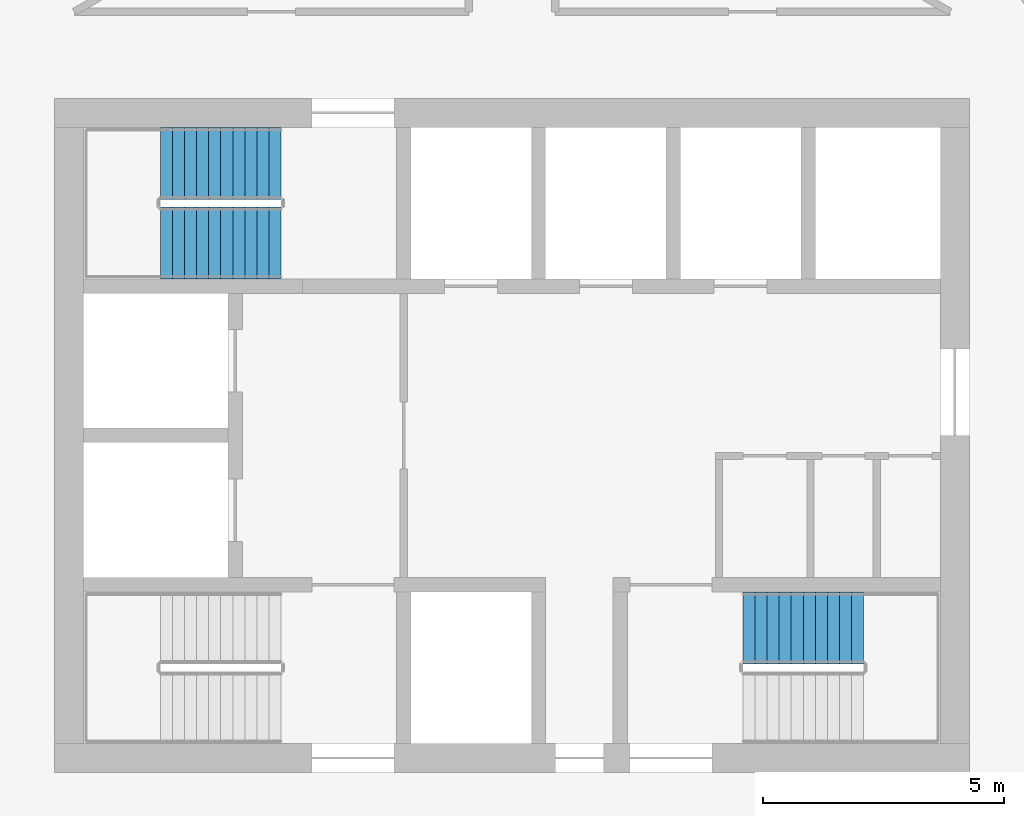
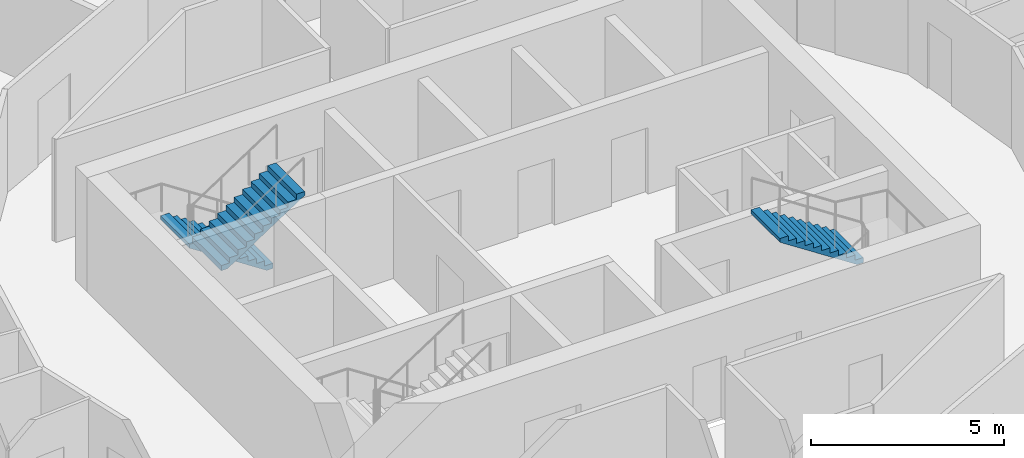
# One storey, part 10 of 11: 3 stair flights, 2 elements without a shape of their own.
"""IFC4 building model written with IfcOpenShell, lengths in metres."""

from ifc_helpers import new_model, si_unit, direction, frame, origin, place, context, subcontext, project, spatial, polyline, outline, extrude, material, type_object, element, aggregate, save


model = new_model("IFC4")

# Units and contexts
model_context = context("Model", 3, precision=1e-05, world=origin(), true_north=direction((0.0, 1.0)))
body_context = subcontext(model_context, "Body", "Model", "MODEL_VIEW")
ifc_project = project(units=[si_unit("LENGTHUNIT", "METRE"), si_unit("AREAUNIT", "SQUARE_METRE"), si_unit("VOLUMEUNIT", "CUBIC_METRE"), si_unit("PLANEANGLEUNIT", "RADIAN"), si_unit("MASSUNIT", "GRAM", prefix="KILO")], contexts=[model_context])

# Site, building, storey
site_placement = place(None, origin())
site = spatial("IfcSite", under=ifc_project, at=site_placement, CompositionType="ELEMENT")
building_placement = place(site_placement, origin())
building = spatial("IfcBuilding", under=site, at=building_placement, Name="Tracery Tower", CompositionType="ELEMENT")
storey_placement = place(building_placement, frame((0.0, 0.0, 238.199951171875)))
storey = spatial("IfcBuildingStorey", under=building, at=storey_placement, Name="L61", CompositionType="ELEMENT", Elevation=238.199951171875)

# Stair, stair flights
ifc_material_1 = material(Name="Concrete C32/40", Category="concrete")
stair_type = type_object("IfcStairType", Name="Core stair 22 risers", PredefinedType="HALF_TURN_STAIR", material=ifc_material_1)
stair_1_placement = place(storey_placement, origin())
stair_1 = element("IfcStair", 1, at=stair_1_placement, inside=storey, type_object=stair_type, Name="L61 stair ST3", PredefinedType="HALF_TURN_STAIR")
ifc_material_2 = material(Name="Concrete C32/40", Category="concrete")
stair_flight_type = type_object("IfcStairFlightType", Name="Core stair flight 11 risers", PredefinedType="STRAIGHT", material=ifc_material_2)
stair_flight_1_placement = place(storey_placement, frame((-4.800048828125, 5.64990234375, 0.0), z_axis=(0.0, 0.0, 1.0), x_axis=(-1.0, 0.0, 0.0)))
stair_flight_1 = element("IfcStairFlight", 2, at=stair_flight_1_placement, type_object=stair_flight_type, Name="ST3 flight 1", NumberOfRisers=11, NumberOfTreads=10, PredefinedType="STRAIGHT", RiserHeight=0.163636364, TreadLength=0.25, context=body_context, shape_type="SweptSolid", body=[
    extrude(outline(polyline([(0.0, 0.0), (0.0, 0.002685546875), (0.0, 0.00537109375), (0.0, 0.008056640625), (0.0, 0.0107421875), (0.0, 0.013427734375), (0.0, 0.01611328125), (0.0, 0.018798828125), (0.0, 0.021484375), (0.0, 0.024169921875), (0.0, 0.02685546875), (0.0, 0.029541015625), (0.0, 0.0322265625), (0.0, 0.034912109375), (0.0, 0.03759765625), (0.0, 0.040283203125), (0.0, 0.04296875), (0.0, 0.045654296875), (0.0, 0.04833984375), (0.0, 0.051025390625), (0.0, 0.0537109375), (0.0, 0.056396484375), (0.0, 0.05908203125), (0.0, 0.061767578125), (0.0, 0.064453125), (0.0, 0.067138671875), (0.0, 0.06982421875), (0.0, 0.072509765625), (0.0, 0.0751953125), (0.0, 0.077880859375), (0.0, 0.08056640625), (0.0, 0.083251953125), (0.0, 0.0859375), (0.0, 0.088623046875), (0.0, 0.09130859375), (0.0, 0.093994140625), (0.0, 0.0966796875), (0.0, 0.099365234375), (0.0, 0.10205078125), (0.0, 0.104736328125), (0.0, 0.107421875), (0.0, 0.10986328125), (0.0, 0.112548828125), (0.0, 0.115234375), (0.0, 0.117919921875), (0.0, 0.12060546875), (0.0, 0.123291015625), (0.0, 0.1259765625), (0.0, 0.128662109375), (0.0, 0.13134765625), (0.0, 0.134033203125), (0.0, 0.13671875), (0.0, 0.139404296875), (0.0, 0.14208984375), (0.0, 0.144775390625), (0.0, 0.1474609375), (0.0, 0.150146484375), (0.0, 0.15283203125), (0.0, 0.155517578125), (0.0, 0.158203125), (0.0, 0.160888671875), (0.0, 0.16357421875), (0.25, 0.16357421875), (0.25, 0.327392578125), (0.5, 0.327392578125), (0.5, 0.490966796875), (0.75, 0.490966796875), (0.75, 0.654541015625), (1.0, 0.654541015625), (1.0, 0.818115234375), (1.25, 0.818115234375), (1.25, 0.98193359375), (1.5, 0.98193359375), (1.5, 1.1455078125), (1.75, 1.1455078125), (1.75, 1.30908203125), (2.0, 1.30908203125), (2.0, 1.47265625), (2.25, 1.47265625), (2.25, 1.636474609375), (2.5, 1.636474609375), (2.5, 1.634521484375), (2.5, 1.63232421875), (2.5, 1.63037109375), (2.5, 1.62841796875), (2.5, 1.62646484375), (2.5, 1.62451171875), (2.5, 1.62255859375), (2.5, 1.62060546875), (2.5, 1.61865234375), (2.5, 1.61669921875), (2.5, 1.61474609375), (2.5, 1.61279296875), (2.5, 1.61083984375), (2.5, 1.60888671875), (2.5, 1.60693359375), (2.5, 1.60498046875), (2.5, 1.60302734375), (2.5, 1.60107421875), (2.5, 1.59912109375), (2.5, 1.59716796875), (2.5, 1.59521484375), (2.5, 1.59326171875), (2.5, 1.59130859375), (2.5, 1.58935546875), (2.5, 1.58740234375), (2.5, 1.58544921875), (2.5, 1.58349609375), (2.5, 1.58154296875), (2.5, 1.57958984375), (2.5, 1.57763671875), (2.5, 1.57568359375), (2.5, 1.573486328125), (2.5, 1.571533203125), (2.5, 1.569580078125), (2.5, 1.567626953125), (2.5, 1.565673828125), (2.5, 1.563720703125), (2.5, 1.561767578125), (2.5, 1.559814453125), (2.5, 1.557861328125), (2.5, 1.555908203125), (2.5, 1.553955078125), (2.5, 1.552001953125), (2.5, 1.550048828125), (2.5, 1.548095703125), (2.5, 1.546142578125), (2.5, 1.544189453125), (2.5, 1.542236328125), (2.5, 1.540283203125), (2.5, 1.538330078125), (2.5, 1.536376953125), (2.5, 1.534423828125), (2.5, 1.532470703125), (2.5, 1.530517578125), (2.5, 1.528564453125), (2.5, 1.526611328125), (2.5, 1.524658203125), (2.5, 1.522705078125), (2.5, 1.520751953125), (2.5, 1.518798828125), (2.5, 1.516845703125), (0.182861328125, 0.0), (0.0, 0.0)])), frame((0.0, 0.75, 0.0), z_axis=(0.0, -1.0, 0.0), x_axis=(1.0, 0.0, 0.0)), (0.0, 0.0, 1.0), 1.5),
])
stair_flight_2_placement = place(storey_placement, frame((-7.300048828125, 4.0, 1.800048828125), z_axis=(0.0, 0.0, 1.0), x_axis=(1.0, 0.0, 0.0)))
stair_flight_2 = element("IfcStairFlight", 3, at=stair_flight_2_placement, type_object=stair_flight_type, Name="ST3 flight 2", NumberOfRisers=11, NumberOfTreads=10, PredefinedType="STRAIGHT", RiserHeight=0.163636364, TreadLength=0.25, context=body_context, shape_type="SweptSolid", body=[
    extrude(outline(polyline([(0.0, 0.0), (0.0, 0.002685546875), (0.0, 0.00537109375), (0.0, 0.008056640625), (0.0, 0.0107421875), (0.0, 0.013427734375), (0.0, 0.01611328125), (0.0, 0.018798828125), (0.0, 0.021484375), (0.0, 0.024169921875), (0.0, 0.02685546875), (0.0, 0.029541015625), (0.0, 0.0322265625), (0.0, 0.034912109375), (0.0, 0.03759765625), (0.0, 0.040283203125), (0.0, 0.04296875), (0.0, 0.045654296875), (0.0, 0.04833984375), (0.0, 0.051025390625), (0.0, 0.0537109375), (0.0, 0.056396484375), (0.0, 0.05908203125), (0.0, 0.061767578125), (0.0, 0.064453125), (0.0, 0.067138671875), (0.0, 0.06982421875), (0.0, 0.072509765625), (0.0, 0.0751953125), (0.0, 0.077880859375), (0.0, 0.08056640625), (0.0, 0.083251953125), (0.0, 0.0859375), (0.0, 0.088623046875), (0.0, 0.09130859375), (0.0, 0.093994140625), (0.0, 0.0966796875), (0.0, 0.099365234375), (0.0, 0.10205078125), (0.0, 0.104736328125), (0.0, 0.107421875), (0.0, 0.10986328125), (0.0, 0.112548828125), (0.0, 0.115234375), (0.0, 0.117919921875), (0.0, 0.12060546875), (0.0, 0.123291015625), (0.0, 0.1259765625), (0.0, 0.128662109375), (0.0, 0.13134765625), (0.0, 0.134033203125), (0.0, 0.13671875), (0.0, 0.139404296875), (0.0, 0.14208984375), (0.0, 0.144775390625), (0.0, 0.1474609375), (0.0, 0.150146484375), (0.0, 0.15283203125), (0.0, 0.155517578125), (0.0, 0.158203125), (0.0, 0.160888671875), (0.0, 0.16357421875), (0.25, 0.16357421875), (0.25, 0.327392578125), (0.5, 0.327392578125), (0.5, 0.490966796875), (0.75, 0.490966796875), (0.75, 0.654541015625), (1.0, 0.654541015625), (1.0, 0.818115234375), (1.25, 0.818115234375), (1.25, 0.98193359375), (1.5, 0.98193359375), (1.5, 1.1455078125), (1.75, 1.1455078125), (1.75, 1.30908203125), (2.0, 1.30908203125), (2.0, 1.47265625), (2.25, 1.47265625), (2.25, 1.636474609375), (2.5, 1.636474609375), (2.5, 1.634521484375), (2.5, 1.63232421875), (2.5, 1.63037109375), (2.5, 1.62841796875), (2.5, 1.62646484375), (2.5, 1.62451171875), (2.5, 1.62255859375), (2.5, 1.62060546875), (2.5, 1.61865234375), (2.5, 1.61669921875), (2.5, 1.61474609375), (2.5, 1.61279296875), (2.5, 1.61083984375), (2.5, 1.60888671875), (2.5, 1.60693359375), (2.5, 1.60498046875), (2.5, 1.60302734375), (2.5, 1.60107421875), (2.5, 1.59912109375), (2.5, 1.59716796875), (2.5, 1.59521484375), (2.5, 1.59326171875), (2.5, 1.59130859375), (2.5, 1.58935546875), (2.5, 1.58740234375), (2.5, 1.58544921875), (2.5, 1.58349609375), (2.5, 1.58154296875), (2.5, 1.57958984375), (2.5, 1.57763671875), (2.5, 1.57568359375), (2.5, 1.573486328125), (2.5, 1.571533203125), (2.5, 1.569580078125), (2.5, 1.567626953125), (2.5, 1.565673828125), (2.5, 1.563720703125), (2.5, 1.561767578125), (2.5, 1.559814453125), (2.5, 1.557861328125), (2.5, 1.555908203125), (2.5, 1.553955078125), (2.5, 1.552001953125), (2.5, 1.550048828125), (2.5, 1.548095703125), (2.5, 1.546142578125), (2.5, 1.544189453125), (2.5, 1.542236328125), (2.5, 1.540283203125), (2.5, 1.538330078125), (2.5, 1.536376953125), (2.5, 1.534423828125), (2.5, 1.532470703125), (2.5, 1.530517578125), (2.5, 1.528564453125), (2.5, 1.526611328125), (2.5, 1.524658203125), (2.5, 1.522705078125), (2.5, 1.520751953125), (2.5, 1.518798828125), (2.5, 1.516845703125), (0.182861328125, 0.0), (0.0, 0.0)])), frame((0.0, 0.75, 0.0), z_axis=(0.0, -1.0, 0.0), x_axis=(1.0, 0.0, 0.0)), (0.0, 0.0, 1.0), 1.5),
])
aggregate(stair_1, [stair_flight_1, stair_flight_2])

# Stair, stair flight
stair_2_placement = place(storey_placement, origin())
stair_2 = element("IfcStair", 4, at=stair_2_placement, inside=storey, type_object=stair_type, Name="L61 stair ST2", PredefinedType="HALF_TURN_STAIR")
stair_flight_3_placement = place(storey_placement, frame((7.300048828125, -4.0, 1.800048828125), z_axis=(0.0, 0.0, 1.0), x_axis=(-1.0, 0.0, 0.0)))
stair_flight_3 = element("IfcStairFlight", 5, at=stair_flight_3_placement, type_object=stair_flight_type, Name="ST2 flight 2", NumberOfRisers=11, NumberOfTreads=10, PredefinedType="STRAIGHT", RiserHeight=0.163636364, TreadLength=0.25, context=body_context, shape_type="SweptSolid", body=[
    extrude(outline(polyline([(0.0, 0.0), (0.0, 0.002685546875), (0.0, 0.00537109375), (0.0, 0.008056640625), (0.0, 0.0107421875), (0.0, 0.013427734375), (0.0, 0.01611328125), (0.0, 0.018798828125), (0.0, 0.021484375), (0.0, 0.024169921875), (0.0, 0.02685546875), (0.0, 0.029541015625), (0.0, 0.0322265625), (0.0, 0.034912109375), (0.0, 0.03759765625), (0.0, 0.040283203125), (0.0, 0.04296875), (0.0, 0.045654296875), (0.0, 0.04833984375), (0.0, 0.051025390625), (0.0, 0.0537109375), (0.0, 0.056396484375), (0.0, 0.05908203125), (0.0, 0.061767578125), (0.0, 0.064453125), (0.0, 0.067138671875), (0.0, 0.06982421875), (0.0, 0.072509765625), (0.0, 0.0751953125), (0.0, 0.077880859375), (0.0, 0.08056640625), (0.0, 0.083251953125), (0.0, 0.0859375), (0.0, 0.088623046875), (0.0, 0.09130859375), (0.0, 0.093994140625), (0.0, 0.0966796875), (0.0, 0.099365234375), (0.0, 0.10205078125), (0.0, 0.104736328125), (0.0, 0.107421875), (0.0, 0.10986328125), (0.0, 0.112548828125), (0.0, 0.115234375), (0.0, 0.117919921875), (0.0, 0.12060546875), (0.0, 0.123291015625), (0.0, 0.1259765625), (0.0, 0.128662109375), (0.0, 0.13134765625), (0.0, 0.134033203125), (0.0, 0.13671875), (0.0, 0.139404296875), (0.0, 0.14208984375), (0.0, 0.144775390625), (0.0, 0.1474609375), (0.0, 0.150146484375), (0.0, 0.15283203125), (0.0, 0.155517578125), (0.0, 0.158203125), (0.0, 0.160888671875), (0.0, 0.16357421875), (0.25, 0.16357421875), (0.25, 0.327392578125), (0.5, 0.327392578125), (0.5, 0.490966796875), (0.75, 0.490966796875), (0.75, 0.654541015625), (1.0, 0.654541015625), (1.0, 0.818115234375), (1.25, 0.818115234375), (1.25, 0.98193359375), (1.5, 0.98193359375), (1.5, 1.1455078125), (1.75, 1.1455078125), (1.75, 1.30908203125), (2.0, 1.30908203125), (2.0, 1.47265625), (2.25, 1.47265625), (2.25, 1.636474609375), (2.5, 1.636474609375), (2.5, 1.634521484375), (2.5, 1.63232421875), (2.5, 1.63037109375), (2.5, 1.62841796875), (2.5, 1.62646484375), (2.5, 1.62451171875), (2.5, 1.62255859375), (2.5, 1.62060546875), (2.5, 1.61865234375), (2.5, 1.61669921875), (2.5, 1.61474609375), (2.5, 1.61279296875), (2.5, 1.61083984375), (2.5, 1.60888671875), (2.5, 1.60693359375), (2.5, 1.60498046875), (2.5, 1.60302734375), (2.5, 1.60107421875), (2.5, 1.59912109375), (2.5, 1.59716796875), (2.5, 1.59521484375), (2.5, 1.59326171875), (2.5, 1.59130859375), (2.5, 1.58935546875), (2.5, 1.58740234375), (2.5, 1.58544921875), (2.5, 1.58349609375), (2.5, 1.58154296875), (2.5, 1.57958984375), (2.5, 1.57763671875), (2.5, 1.57568359375), (2.5, 1.573486328125), (2.5, 1.571533203125), (2.5, 1.569580078125), (2.5, 1.567626953125), (2.5, 1.565673828125), (2.5, 1.563720703125), (2.5, 1.561767578125), (2.5, 1.559814453125), (2.5, 1.557861328125), (2.5, 1.555908203125), (2.5, 1.553955078125), (2.5, 1.552001953125), (2.5, 1.550048828125), (2.5, 1.548095703125), (2.5, 1.546142578125), (2.5, 1.544189453125), (2.5, 1.542236328125), (2.5, 1.540283203125), (2.5, 1.538330078125), (2.5, 1.536376953125), (2.5, 1.534423828125), (2.5, 1.532470703125), (2.5, 1.530517578125), (2.5, 1.528564453125), (2.5, 1.526611328125), (2.5, 1.524658203125), (2.5, 1.522705078125), (2.5, 1.520751953125), (2.5, 1.518798828125), (2.5, 1.516845703125), (0.182861328125, 0.0), (0.0, 0.0)])), frame((0.0, 0.75, 0.0), z_axis=(0.0, -1.0, 0.0), x_axis=(1.0, 0.0, 0.0)), (0.0, 0.0, 1.0), 1.5),
])
aggregate(stair_2, [stair_flight_3])

save(model, "model.ifc")
